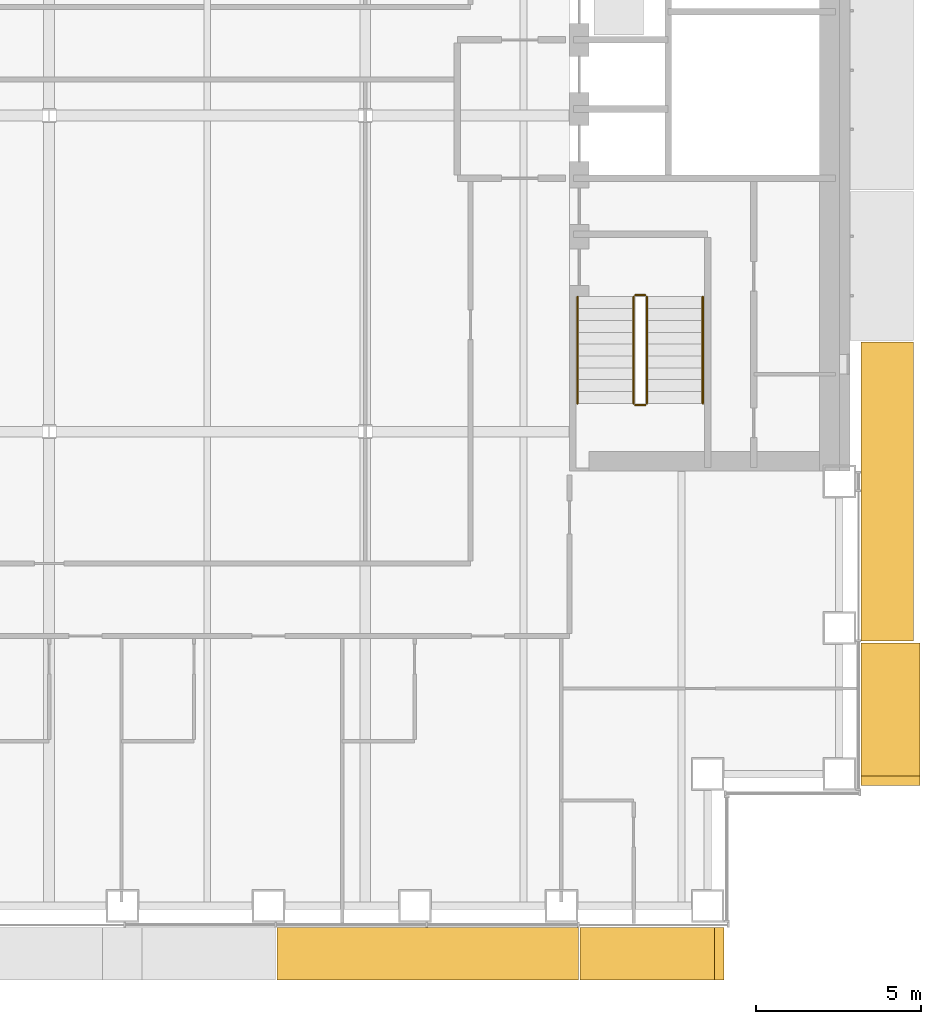
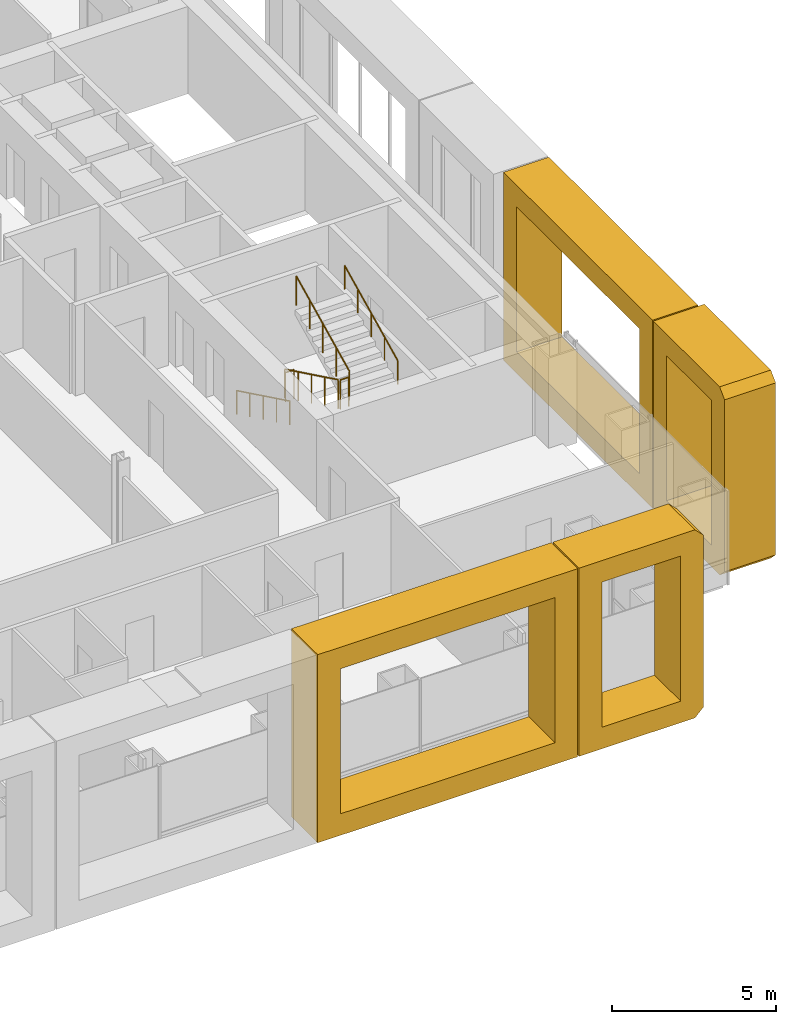
# One storey, part 22 of 25: 6 railings, 4 coverings.
"""IFC4 building model written with IfcOpenShell, lengths in metres."""

from ifc_helpers import new_model, si_unit, direction, frame, origin, origin_2d, place, context, subcontext, project, spatial, polyline, circle, outline, extrude, material, type_object, element, save


model = new_model("IFC4")

# Units and contexts
model_context = context("Model", 3, precision=1e-05, world=origin(), true_north=direction((0.0, 1.0)))
body_context = subcontext(model_context, "Body", "Model", "MODEL_VIEW")
ifc_project = project(units=[si_unit("LENGTHUNIT", "METRE"), si_unit("AREAUNIT", "SQUARE_METRE"), si_unit("VOLUMEUNIT", "CUBIC_METRE"), si_unit("PLANEANGLEUNIT", "RADIAN"), si_unit("MASSUNIT", "GRAM", prefix="KILO")], contexts=[model_context])

# Site, building, storey
site_placement = place(None, origin())
site = spatial("IfcSite", under=ifc_project, at=site_placement, CompositionType="ELEMENT")
building_placement = place(site_placement, origin())
building = spatial("IfcBuilding", under=site, at=building_placement, Name="Cobrizo Arcos Hotel Tower", CompositionType="ELEMENT")
storey_placement = place(building_placement, frame((0.0, 0.0, 46.0)))
storey = spatial("IfcBuildingStorey", under=building, at=storey_placement, Name="L09", CompositionType="ELEMENT", Elevation=46.0)

# Coverings
ifc_material_1 = material(Name="Aluminium 6063-T6 anodised bronze", Category="aluminium")
covering_type_1 = type_object("IfcCoveringType", Name="FIN-F 1600", PredefinedType="CLADDING", material=ifc_material_1)
covering_1_placement = place(storey_placement, frame((24.64990234375, -15.958251953125, 0.0), z_axis=(1.0, 0.0, 0.0), x_axis=(0.0, 1.0, 0.0)))
element("IfcCovering", 1, at=covering_1_placement, inside=storey, type_object=covering_type_1, Name="Fin frame 22", PredefinedType="CLADDING", context=body_context, shape_type="SweptSolid", body=[
    extrude(outline(polyline([(0.0, 7.0), (0.0, 0.0), (9.083251953125, 0.0), (9.083251953125, 7.0), (0.0, 7.0)]), holes=[polyline([(8.283203125, 0.800048828125), (0.800048828125, 0.800048828125), (0.800048828125, 6.199951171875), (8.283203125, 6.199951171875), (8.283203125, 0.800048828125)])]), origin(), (0.0, 0.0, 1.0), 1.60009765625),
])
covering_2_placement = place(storey_placement, frame((6.925048828125, -24.64990234375, 0.0), z_axis=(0.0, -1.0, 0.0), x_axis=(1.0, 0.0, 0.0)))
element("IfcCovering", 2, at=covering_2_placement, inside=storey, type_object=covering_type_1, Name="Fin frame 47", PredefinedType="CLADDING", context=body_context, shape_type="SweptSolid", body=[
    extrude(outline(polyline([(0.0, 7.0), (0.0, 0.0), (9.14990234375, 0.0), (9.14990234375, 7.0), (0.0, 7.0)]), holes=[polyline([(8.35009765625, 0.800048828125), (0.800048828125, 0.800048828125), (0.800048828125, 6.199951171875), (8.35009765625, 6.199951171875), (8.35009765625, 0.800048828125)])]), origin(), (0.0, 0.0, 1.0), 1.60009765625),
])
covering_3_placement = place(storey_placement, frame((16.125, -24.64990234375, 0.0), z_axis=(0.0, -1.0, 0.0), x_axis=(1.0, 0.0, 0.0)))
element("IfcCovering", 3, at=covering_3_placement, inside=storey, type_object=covering_type_1, Name="Fin frame 48", PredefinedType="CLADDING", context=body_context, shape_type="SweptSolid", body=[
    extrude(outline(polyline([(0.0, 7.0), (0.0, 0.0), (4.074951171875, 0.0), (4.375, 0.300048828125), (4.375, 6.699951171875), (4.074951171875, 7.0), (0.0, 7.0)]), holes=[polyline([(3.574951171875, 0.800048828125), (0.800048828125, 0.800048828125), (0.800048828125, 6.199951171875), (3.574951171875, 6.199951171875), (3.574951171875, 0.800048828125)])]), origin(), (0.0, 0.0, 1.0), 1.60009765625),
])
covering_type_2 = type_object("IfcCoveringType", Name="FIN-F 1800", PredefinedType="CLADDING", material=ifc_material_1)
covering_4_placement = place(storey_placement, frame((24.64990234375, -20.35009765625, 0.0), z_axis=(1.0, 0.0, 0.0), x_axis=(0.0, 1.0, 0.0)))
element("IfcCovering", 4, at=covering_4_placement, inside=storey, type_object=covering_type_2, Name="Fin frame 21", PredefinedType="CLADDING", context=body_context, shape_type="SweptSolid", body=[
    extrude(outline(polyline([(0.0, 0.300048828125), (0.300048828125, 0.0), (4.341796875, 0.0), (4.341796875, 7.0), (0.300048828125, 7.0), (0.0, 6.699951171875), (0.0, 0.300048828125)]), holes=[polyline([(3.541748046875, 0.800048828125), (0.800048828125, 0.800048828125), (0.800048828125, 6.199951171875), (3.541748046875, 6.199951171875), (3.541748046875, 0.800048828125)])]), origin(), (0.0, 0.0, 1.0), 1.800048828125),
])

# Railings
ifc_material_2 = material(Name="Stainless steel railing", Category="steel")
railing_type_1 = type_object("IfcRailingType", Name="Stair guard 1100", PredefinedType="GUARDRAIL", material=ifc_material_2)
railing_1_placement = place(storey_placement, frame((17.75, -5.5, 0.175048828125)))
element("IfcRailing", 5, at=railing_1_placement, inside=storey, type_object=railing_type_1, Name="L09 ST-E stair guard 1", PredefinedType="GUARDRAIL", context=body_context, shape_type="SweptSolid", body=[
    extrude(circle(Radius=0.02392578125, at=origin_2d()), frame((0.0, 0.0, 1.076171875), z_axis=(0.0, -0.899372665325, 0.437182809435), x_axis=(1.0, 0.0, 0.0)), (0.0, 0.0, 1.0), 3.6025390625),
    extrude(circle(Radius=0.02099609375, at=origin_2d()), origin(), (0.0, 0.0, 1.0), 1.052001953125),
    extrude(circle(Radius=0.02099609375, at=origin_2d()), frame((0.0, -0.81005859375, 0.393798828125)), (0.0, 0.0, 1.0), 1.052001953125),
    extrude(circle(Radius=0.02099609375, at=origin_2d()), frame((0.0, -1.6201171875, 0.78759765625)), (0.0, 0.0, 1.0), 1.052001953125),
    extrude(circle(Radius=0.02099609375, at=origin_2d()), frame((0.0, -2.429931640625, 1.18115234375)), (0.0, 0.0, 1.0), 1.052001953125),
    extrude(circle(Radius=0.02099609375, at=origin_2d()), frame((0.0, -3.239990234375, 1.574951171875)), (0.0, 0.0, 1.0), 1.052001953125),
])
railing_2_placement = place(storey_placement, frame((17.800048828125, -8.7900390625, 1.75)))
element("IfcRailing", 6, at=railing_2_placement, inside=storey, type_object=railing_type_1, Name="L09 ST-E stair guard 2", PredefinedType="GUARDRAIL", context=body_context, shape_type="SweptSolid", body=[
    extrude(circle(Radius=0.02392578125, at=origin_2d()), frame((0.0, 0.0, 1.076171875), z_axis=(1.0, 0.0, 0.0), x_axis=(0.0, 1.0, 0.0)), (0.0, 0.0, 1.0), 0.300048828125),
    extrude(circle(Radius=0.02099609375, at=origin_2d()), origin(), (0.0, 0.0, 1.0), 1.052001953125),
    extrude(circle(Radius=0.02099609375, at=origin_2d()), frame((0.300048828125, 0.0, 0.0)), (0.0, 0.0, 1.0), 1.052001953125),
])
railing_3_placement = place(storey_placement, frame((18.14990234375, -8.739990234375, 1.925048828125)))
element("IfcRailing", 7, at=railing_3_placement, inside=storey, type_object=railing_type_1, Name="L09 ST-E stair guard 3", PredefinedType="GUARDRAIL", context=body_context, shape_type="SweptSolid", body=[
    extrude(circle(Radius=0.02392578125, at=origin_2d()), frame((0.0, 0.0, 1.076171875), z_axis=(0.0, 0.899372665325, 0.437182809435), x_axis=(-1.0, 0.0, 0.0)), (0.0, 0.0, 1.0), 3.6025390625),
    extrude(circle(Radius=0.02099609375, at=origin_2d()), origin(), (0.0, 0.0, 1.0), 1.052001953125),
    extrude(circle(Radius=0.02099609375, at=origin_2d()), frame((0.0, 0.81005859375, 0.393798828125)), (0.0, 0.0, 1.0), 1.052001953125),
    extrude(circle(Radius=0.02099609375, at=origin_2d()), frame((0.0, 1.6201171875, 0.78759765625)), (0.0, 0.0, 1.0), 1.052001953125),
    extrude(circle(Radius=0.02099609375, at=origin_2d()), frame((0.0, 2.429931640625, 1.18115234375)), (0.0, 0.0, 1.0), 1.052001953125),
    extrude(circle(Radius=0.02099609375, at=origin_2d()), frame((0.0, 3.239990234375, 1.574951171875)), (0.0, 0.0, 1.0), 1.052001953125),
])
railing_4_placement = place(storey_placement, frame((17.800048828125, -5.449951171875, 0.0)))
element("IfcRailing", 8, at=railing_4_placement, inside=storey, type_object=railing_type_1, Name="L09 ST-E stair guard 4", PredefinedType="GUARDRAIL", context=body_context, shape_type="SweptSolid", body=[
    extrude(circle(Radius=0.02392578125, at=origin_2d()), frame((0.0, 0.0, 1.076171875), z_axis=(1.0, 0.0, 0.0), x_axis=(0.0, 1.0, 0.0)), (0.0, 0.0, 1.0), 0.300048828125),
    extrude(circle(Radius=0.02099609375, at=origin_2d()), origin(), (0.0, 0.0, 1.0), 1.052001953125),
    extrude(circle(Radius=0.02099609375, at=origin_2d()), frame((0.300048828125, 0.0, 0.0)), (0.0, 0.0, 1.0), 1.052001953125),
])
railing_type_2 = type_object("IfcRailingType", Name="Stair handrail", PredefinedType="HANDRAIL", material=ifc_material_2)
railing_5_placement = place(storey_placement, frame((16.050048828125, -5.5, 0.175048828125)))
element("IfcRailing", 9, at=railing_5_placement, inside=storey, type_object=railing_type_2, Name="L09 ST-E stair handrail 1", PredefinedType="HANDRAIL", context=body_context, shape_type="SweptSolid", body=[
    extrude(circle(Radius=0.02392578125, at=origin_2d()), frame((0.0, 0.0, 0.8759765625), z_axis=(0.0, -0.899372665325, 0.437182809435), x_axis=(1.0, 0.0, 0.0)), (0.0, 0.0, 1.0), 3.6025390625),
    extrude(circle(Radius=0.02099609375, at=origin_2d()), origin(), (0.0, 0.0, 1.0), 0.851806640625),
    extrude(circle(Radius=0.02099609375, at=origin_2d()), frame((0.0, -0.81005859375, 0.393798828125)), (0.0, 0.0, 1.0), 0.851806640625),
    extrude(circle(Radius=0.02099609375, at=origin_2d()), frame((0.0, -1.6201171875, 0.78759765625)), (0.0, 0.0, 1.0), 0.851806640625),
    extrude(circle(Radius=0.02099609375, at=origin_2d()), frame((0.0, -2.429931640625, 1.18115234375)), (0.0, 0.0, 1.0), 0.851806640625),
    extrude(circle(Radius=0.02099609375, at=origin_2d()), frame((0.0, -3.239990234375, 1.574951171875)), (0.0, 0.0, 1.0), 0.851806640625),
])
railing_6_placement = place(storey_placement, frame((19.85009765625, -8.739990234375, 1.925048828125)))
element("IfcRailing", 10, at=railing_6_placement, inside=storey, type_object=railing_type_2, Name="L09 ST-E stair handrail 2", PredefinedType="HANDRAIL", context=body_context, shape_type="SweptSolid", body=[
    extrude(circle(Radius=0.02392578125, at=origin_2d()), frame((0.0, 0.0, 0.8759765625), z_axis=(0.0, 0.899372665325, 0.437182809435), x_axis=(-1.0, 0.0, 0.0)), (0.0, 0.0, 1.0), 3.6025390625),
    extrude(circle(Radius=0.02099609375, at=origin_2d()), origin(), (0.0, 0.0, 1.0), 0.851806640625),
    extrude(circle(Radius=0.02099609375, at=origin_2d()), frame((0.0, 0.81005859375, 0.393798828125)), (0.0, 0.0, 1.0), 0.851806640625),
    extrude(circle(Radius=0.02099609375, at=origin_2d()), frame((0.0, 1.6201171875, 0.78759765625)), (0.0, 0.0, 1.0), 0.851806640625),
    extrude(circle(Radius=0.02099609375, at=origin_2d()), frame((0.0, 2.429931640625, 1.18115234375)), (0.0, 0.0, 1.0), 0.851806640625),
    extrude(circle(Radius=0.02099609375, at=origin_2d()), frame((0.0, 3.239990234375, 1.574951171875)), (0.0, 0.0, 1.0), 0.851806640625),
])

save(model, "model.ifc")
